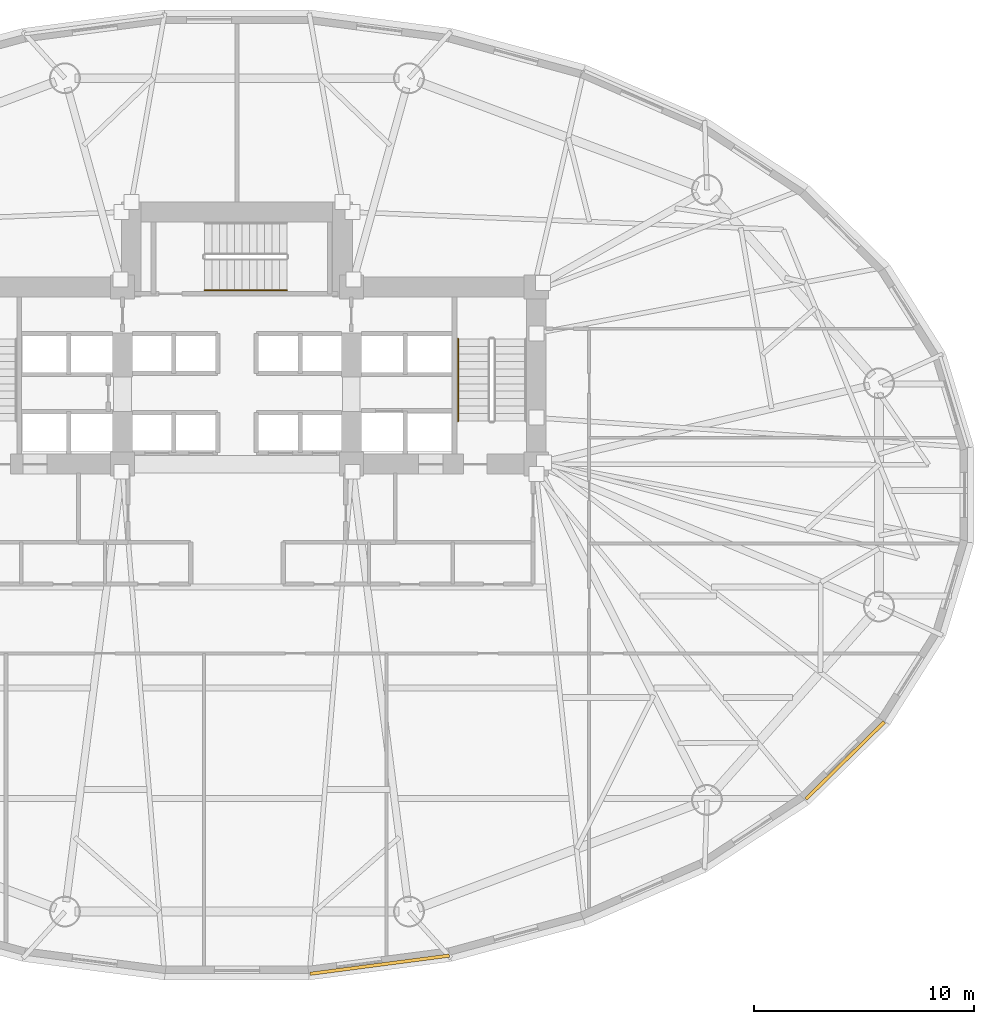
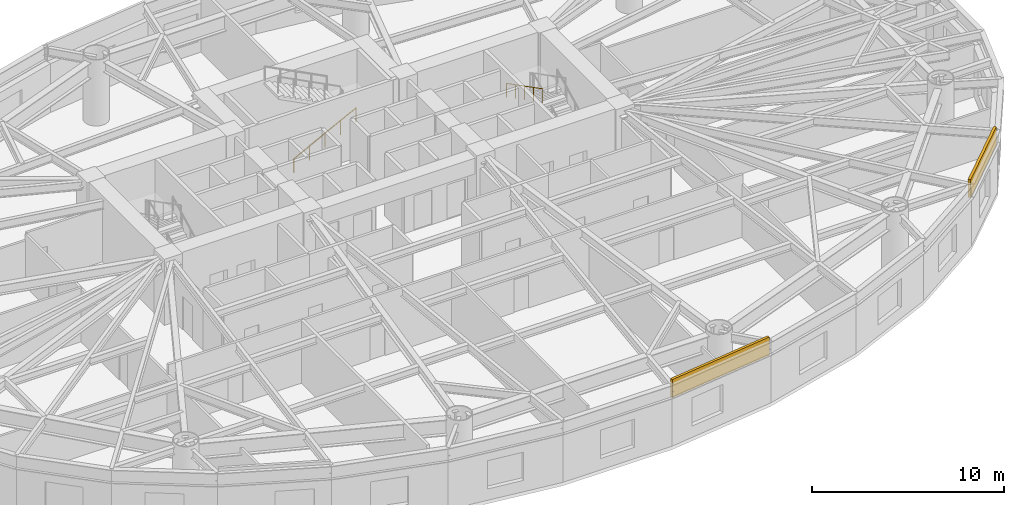
# One storey, part 11 of 14: 2 coverings, 2 railings.
"""IFC4 building model written with IfcOpenShell, lengths in metres."""

from ifc_helpers import new_model, si_unit, direction, frame, origin, origin_2d, place, context, subcontext, project, spatial, rectangle, circle, extrude, material, layer, layer_set, type_object, element, save


model = new_model("IFC4")

# Units and contexts
model_context = context("Model", 3, precision=1e-05, world=origin(), true_north=direction((0.0, 1.0)))
body_context = subcontext(model_context, "Body", "Model", "MODEL_VIEW")
ifc_project = project(units=[si_unit("LENGTHUNIT", "METRE"), si_unit("AREAUNIT", "SQUARE_METRE"), si_unit("VOLUMEUNIT", "CUBIC_METRE"), si_unit("PLANEANGLEUNIT", "RADIAN"), si_unit("MASSUNIT", "GRAM", prefix="KILO")], contexts=[model_context])

# Site, building, storey
site_placement = place(None, origin())
site = spatial("IfcSite", under=ifc_project, at=site_placement, CompositionType="ELEMENT")
building_placement = place(site_placement, origin())
building = spatial("IfcBuilding", under=site, at=building_placement, Name="Keldmark Tower", CompositionType="ELEMENT")
storey_placement = place(building_placement, frame((0.0, 0.0, 18.60009765625)))
storey = spatial("IfcBuildingStorey", under=building, at=storey_placement, Name="L04", CompositionType="ELEMENT", Elevation=18.60009765625)

# Coverings
ifc_material_1 = material(Name="Honed Kasota Buff Dolomitic Limestone", Category="masonry")
ifc_layer = layer(ifc_material_1, 0.074951171875)
ifc_layer_set = layer_set([ifc_layer], Name="Honed Kasota Buff Dolomitic Limestone")
covering_type = type_object("IfcCoveringType", Name="Kasota Buff Limestone Spandrel Cladding Band", PredefinedType="CLADDING", material=ifc_layer_set)
covering_1_placement = place(storey_placement, frame((6.487060546875, -21.344482421875, 3.032958984375), z_axis=(0.0, 0.0, 1.0), x_axis=(0.991574223108, 0.129539801092, 0.0)))
element("IfcCovering", 1, at=covering_1_placement, inside=storey, type_object=covering_type, Name="L04 Kasota Limestone Spandrel Band 25", PredefinedType="CLADDING", context=body_context, shape_type="SweptSolid", body=[
    extrude(rectangle(XDim=6.37548828125, YDim=0.14990234375, at=origin_2d()), origin(), (0.0, 0.0, 1.0), 1.14697265625),
])
covering_2_placement = place(storey_placement, frame((27.62890625, -12.071044921875, 3.032958984375), z_axis=(0.0, 0.0, 1.0), x_axis=(0.713189280566, 0.700971504475, 0.0)))
element("IfcCovering", 2, at=covering_2_placement, inside=storey, type_object=covering_type, Name="L04 Kasota Limestone Spandrel Band 29", PredefinedType="CLADDING", context=body_context, shape_type="SweptSolid", body=[
    extrude(rectangle(XDim=4.995849609375, YDim=0.14990234375, at=origin_2d()), origin(), (0.0, 0.0, 1.0), 1.14697265625),
])

# Railings
ifc_material_2 = material(Name="Stainless Steel AISI 316L", Category="steel")
railing_type = type_object("IfcRailingType", Name="Stainless Steel Stair Handrail 900 mm", PredefinedType="HANDRAIL", material=ifc_material_2)
railing_1_placement = place(storey_placement, frame((10.050048828125, 7.090087890625, 2.27490234375)))
element("IfcRailing", 3, at=railing_1_placement, inside=storey, type_object=railing_type, Name="L04 ST2 stair handrail 2", PredefinedType="HANDRAIL", context=body_context, shape_type="SweptSolid", body=[
    extrude(circle(Radius=0.02392578125, at=origin_2d()), frame((0.0, 0.0, 0.8759765625), z_axis=(0.0, -0.889130600629, 0.457653553493), x_axis=(1.0, 0.0, 0.0)), (0.0, 0.0, 1.0), 4.206298828125),
    extrude(circle(Radius=0.02099609375, at=origin_2d()), origin(), (0.0, 0.0, 1.0), 0.851806640625),
    extrude(circle(Radius=0.02099609375, at=origin_2d()), frame((0.0, -0.93505859375, 0.481201171875)), (0.0, 0.0, 1.0), 0.851806640625),
    extrude(circle(Radius=0.02099609375, at=origin_2d()), frame((0.0, -1.8701171875, 0.96240234375)), (0.0, 0.0, 1.0), 0.851806640625),
    extrude(circle(Radius=0.02099609375, at=origin_2d()), frame((0.0, -2.804931640625, 1.44384765625)), (0.0, 0.0, 1.0), 0.851806640625),
    extrude(circle(Radius=0.02099609375, at=origin_2d()), frame((0.0, -3.739990234375, 1.925048828125)), (0.0, 0.0, 1.0), 0.851806640625),
])
railing_2_placement = place(storey_placement, frame((-1.47509765625, 9.300048828125, 0.1748046875)))
element("IfcRailing", 4, at=railing_2_placement, inside=storey, type_object=railing_type, Name="L04 ST3 stair handrail 1", PredefinedType="HANDRAIL", context=body_context, shape_type="SweptSolid", body=[
    extrude(circle(Radius=0.02392578125, at=origin_2d()), frame((0.0, 0.0, 0.8759765625), z_axis=(0.889130600629, 0.0, 0.457653553493), x_axis=(0.0, 1.0, 0.0)), (0.0, 0.0, 1.0), 4.206298828125),
    extrude(circle(Radius=0.02099609375, at=origin_2d()), origin(), (0.0, 0.0, 1.0), 0.851806640625),
    extrude(circle(Radius=0.02099609375, at=origin_2d()), frame((0.93505859375, 0.0, 0.481201171875)), (0.0, 0.0, 1.0), 0.851806640625),
    extrude(circle(Radius=0.02099609375, at=origin_2d()), frame((1.8701171875, 0.0, 0.96240234375)), (0.0, 0.0, 1.0), 0.851806640625),
    extrude(circle(Radius=0.02099609375, at=origin_2d()), frame((2.804931640625, 0.0, 1.44384765625)), (0.0, 0.0, 1.0), 0.851806640625),
    extrude(circle(Radius=0.02099609375, at=origin_2d()), frame((3.739990234375, 0.0, 1.925048828125)), (0.0, 0.0, 1.0), 0.851806640625),
])

save(model, "model.ifc")
